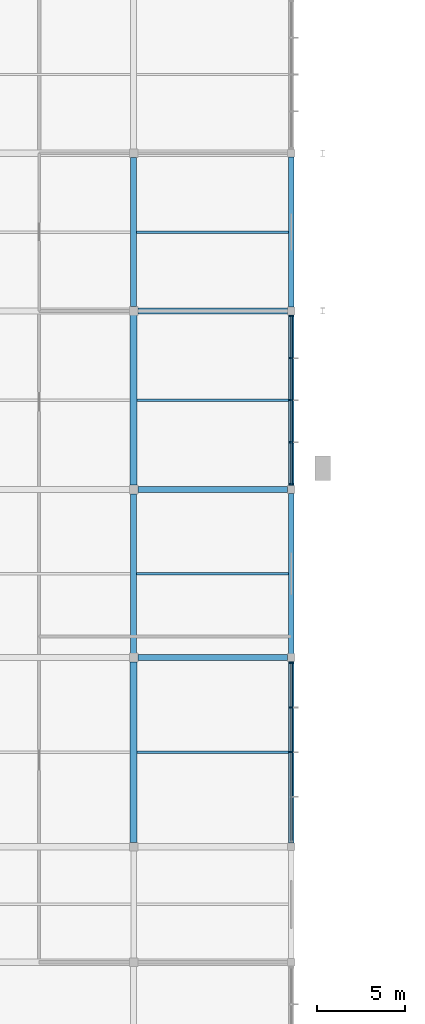
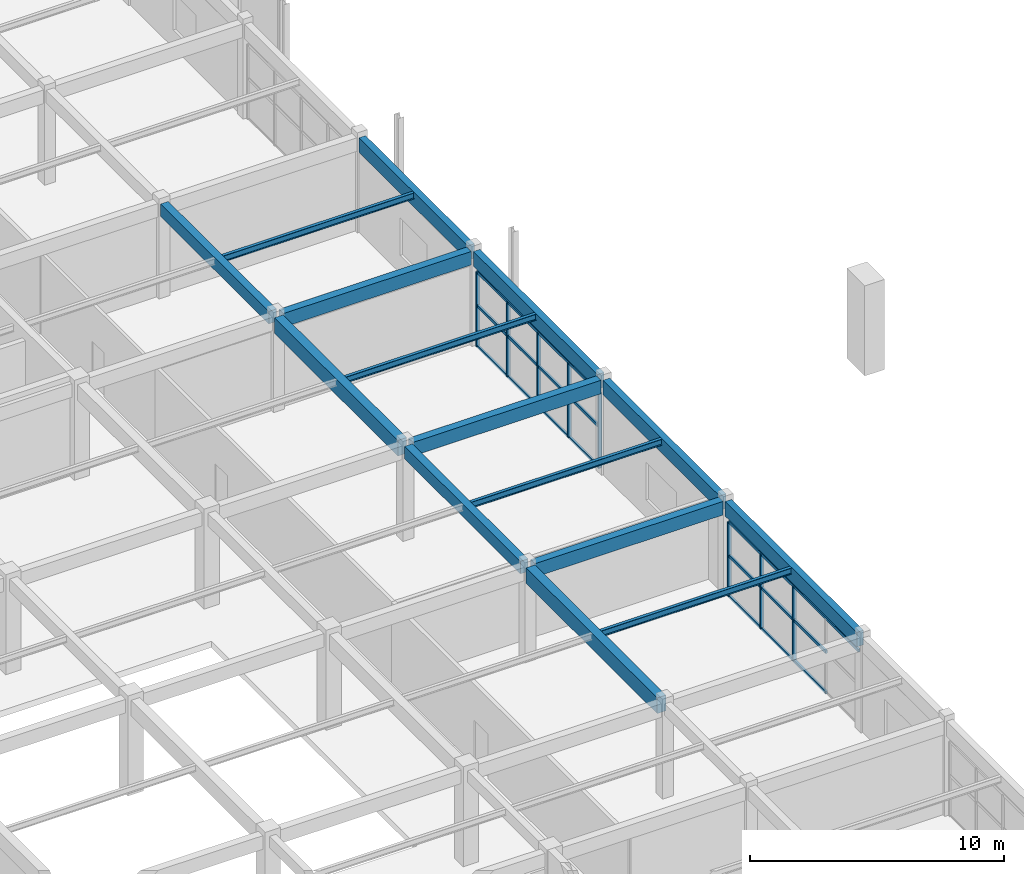
# One storey, part 17 of 74: 24 members, 15 beams, 2 elements without a shape of their own.
"""IFC4 building model written with IfcOpenShell, lengths in metres."""

import ifcopenshell
import ifcopenshell.guid

model = None  # the IFC model being written
_history = None  # IfcOwnerHistory: only IFC2X3 demands one
_inside = {}  # id of a spatial element -> (the spatial element, [elements in it])
_under = {}  # id of a project, library or spatial element -> (it, [spatial elements below it])
_declared = {}  # id of a project -> (the project, [libraries it declares])
_typed = {}  # id of a type object -> (the type object, [elements of that type])
_made_of = {}  # id of a material, layer set ... -> (it, [elements and type objects made of it])


def new_model(schema):
    """Start an empty IFC model of exactly this schema.

    Asked for "IFC4X3", IfcOpenShell would pick the latest addendum, in which some entities
    have other attributes; the version numbers below select the first issue.
    IFC2X3 requires an IfcOwnerHistory on every rooted entity: one is made here for all.
    """
    global model, _history
    if schema == "IFC4X3":
        model = ifcopenshell.file(schema_version=(4, 3, 0, 0))
    else:
        model = ifcopenshell.file(schema=schema)
    _inside.clear()
    _under.clear()
    _declared.clear()
    _typed.clear()
    _made_of.clear()
    _history = None
    if model.schema == "IFC2X3":
        org = make("IfcOrganization", Name="unknown")
        user = make(
            "IfcPersonAndOrganization",
            ThePerson=make("IfcPerson", FamilyName="unknown"),
            TheOrganization=org,
        )
        app = make(
            "IfcApplication",
            ApplicationDeveloper=org,
            Version="unknown",
            ApplicationFullName="unknown",
            ApplicationIdentifier="unknown",
        )
        _history = make(
            "IfcOwnerHistory",
            OwningUser=user,
            OwningApplication=app,
            ChangeAction="ADDED",
            CreationDate=0,
        )
    return model


def make(cls, **values):
    """One entity of the class cls with the attributes given. An attribute that is None is left unset."""
    return model.create_entity(
        cls, **{name: value for name, value in values.items() if value is not None}
    )


def rooted(cls, **values):
    """An entity with a GlobalId (a new one), such as an element, a storey or a relation."""
    return make(cls, GlobalId=ifcopenshell.guid.new(), OwnerHistory=_history, **values)


def si_unit(unit_type, name, prefix=None):
    """IfcSIUnit, for example si_unit("LENGTHUNIT", "METRE", prefix="MILLI")."""
    return make("IfcSIUnit", UnitType=unit_type, Prefix=prefix, Name=name)


def assignment(units):
    """IfcUnitAssignment: the units of a project."""
    return None if units is None else make("IfcUnitAssignment", Units=units)


def point(xyz):
    """IfcCartesianPoint."""
    return None if xyz is None else make("IfcCartesianPoint", Coordinates=xyz)


def direction(xyz):
    """IfcDirection."""
    return None if xyz is None else make("IfcDirection", DirectionRatios=xyz)


def frame(location, z_axis=None, x_axis=None):
    """IfcAxis2Placement3D, a coordinate frame: its origin and axes. An axis left out is left unset."""
    return make(
        "IfcAxis2Placement3D",
        Location=point(location),
        Axis=direction(z_axis),
        RefDirection=direction(x_axis),
    )


def frame_2d(location, x_axis=None):
    """IfcAxis2Placement2D, a coordinate frame in the plane: its origin and x axis."""
    return make(
        "IfcAxis2Placement2D", Location=point(location), RefDirection=direction(x_axis)
    )


def origin():
    """The frame at (0, 0, 0) with its axes left unset."""
    return frame((0.0, 0.0, 0.0))


def origin_2d():
    """The frame at (0, 0) in the plane with its x axis left unset."""
    return frame_2d((0.0, 0.0))


def place(relative_to, where):
    """IfcLocalPlacement: puts the frame where relative to a parent placement (None: the world)."""
    return make(
        "IfcLocalPlacement", PlacementRelTo=relative_to, RelativePlacement=where
    )


def context(
    kind, dimensions, precision=None, world=None, true_north=None, identifier=None
):
    """IfcGeometricRepresentationContext, for example the 3D "Model" context."""
    return make(
        "IfcGeometricRepresentationContext",
        ContextIdentifier=identifier,
        ContextType=kind,
        CoordinateSpaceDimension=dimensions,
        Precision=precision,
        WorldCoordinateSystem=world,
        TrueNorth=true_north,
    )


def subcontext(parent, identifier, kind, view, scale=None):
    """IfcGeometricRepresentationSubContext, for example "Body" below "Model"."""
    return make(
        "IfcGeometricRepresentationSubContext",
        ContextIdentifier=identifier,
        ContextType=kind,
        ParentContext=parent,
        TargetScale=scale,
        TargetView=view,
    )


def project(units=None, contexts=None):
    """IfcProject with its units and contexts."""
    return rooted(
        "IfcProject",
        Name="project",
        RepresentationContexts=contexts,
        UnitsInContext=assignment(units),
    )


def spatial(cls, under=None, at=None, **own):
    """A site, building, storey or space (cls), placed at a placement, below another one or the project."""
    s = rooted(cls, ObjectPlacement=at, **own)
    if under is not None:
        _under.setdefault(under.id(), (under, []))[1].append(s)
    return s


def profile(cls, at=None, kind="AREA", **sizes):
    """A parametric profile (cls). Its sizes go by their IFC names, for example OverallWidth=200.0."""
    return make(cls, ProfileType=kind, Position=at, **sizes)


def rectangle(**sizes):
    """IfcRectangleProfileDef."""
    return profile("IfcRectangleProfileDef", **sizes)


def i_section(**sizes):
    """IfcIShapeProfileDef."""
    return profile("IfcIShapeProfileDef", **sizes)


def extrude(swept, where, along, depth):
    """IfcExtrudedAreaSolid: the profile swept, set in the frame where, extruded along a direction by depth."""
    return make(
        "IfcExtrudedAreaSolid",
        SweptArea=swept,
        Position=where,
        ExtrudedDirection=direction(along),
        Depth=depth,
    )


def shape(context_of_items, identifier, shape_type, items):
    """IfcShapeRepresentation: the items that make up one representation, for example the "Body"."""
    return make(
        "IfcShapeRepresentation",
        ContextOfItems=context_of_items,
        RepresentationIdentifier=identifier,
        RepresentationType=shape_type,
        Items=items,
    )


def material(Name=None, Category=None):
    """IfcMaterial."""
    return make("IfcMaterial", Name=Name, Category=Category)


def material_profile(
    of_material, cross_section, Name=None, Category=None, Priority=None
):
    """IfcMaterialProfile: a cross section and its material."""
    return make(
        "IfcMaterialProfile",
        Name=Name,
        Material=of_material,
        Profile=cross_section,
        Priority=Priority,
        Category=Category,
    )


def profile_set(profiles, Name=None, composite=None):
    """IfcMaterialProfileSet."""
    return make(
        "IfcMaterialProfileSet",
        Name=Name,
        MaterialProfiles=profiles,
        CompositeProfile=composite,
    )


def made_of(thing, what):
    """Note that an element or type object is made of a material, layer set ...; save() writes the relation."""
    if what is not None:
        _made_of.setdefault(what.id(), (what, []))[1].append(thing)
    return thing


def type_object(cls, material=None, **own):
    """A type object (cls), such as IfcWallType, which elements share."""
    return made_of(rooted(cls, **own), material)


def element(
    cls,
    number,
    at=None,
    inside=None,
    cuts=None,
    type_object=None,
    material=None,
    context=None,
    identifier="Body",
    shape_type=None,
    held_by="IfcProductDefinitionShape",
    body=None,
    shapes=None,
    **own,
):
    """One element of the class cls, such as IfcWall. Its Tag is "e" and its number.

    at: its placement. inside: the storey or other place that contains it. cuts: it is an
    opening in that element (IfcRelVoidsElement). A single representation is given by context,
    identifier, shape_type and body (its items); several are given by shapes. held_by: the class
    of the entity that holds the representations. save() writes the other relations.
    """
    e = rooted(cls, Tag="e%d" % number, ObjectPlacement=at, **own)
    if body is not None:
        shapes = [shape(context, identifier, shape_type, body)]
    if shapes is not None:
        e.Representation = make(held_by, Representations=shapes)
    if inside is not None:
        _inside.setdefault(inside.id(), (inside, []))[1].append(e)
    if cuts is not None:
        rooted(
            "IfcRelVoidsElement", RelatingBuildingElement=cuts, RelatedOpeningElement=e
        )
    if type_object is not None:
        _typed.setdefault(type_object.id(), (type_object, []))[1].append(e)
    return made_of(e, material)


def aggregate(whole, parts):
    """IfcRelAggregates: a whole, such as a stair, and the parts it consists of."""
    return rooted("IfcRelAggregates", RelatingObject=whole, RelatedObjects=parts)


def save(model, path):
    """Write the relations noted so far, then the file.

    IfcRelAggregates (storeys below a building ...), IfcRelContainedInSpatialStructure (elements
    in a storey), IfcRelDefinesByType, IfcRelAssociatesMaterial and IfcRelDeclares: one each for
    every whole, place, type object, material and project.
    """
    for whole, parts in _under.values():
        aggregate(whole, parts)
    for where, things in _inside.values():
        rooted(
            "IfcRelContainedInSpatialStructure",
            RelatedElements=things,
            RelatingStructure=where,
        )
    for kind, things in _typed.values():
        rooted("IfcRelDefinesByType", RelatedObjects=things, RelatingType=kind)
    for what, things in _made_of.values():
        rooted("IfcRelAssociatesMaterial", RelatedObjects=things, RelatingMaterial=what)
    for by, libraries in _declared.values():
        rooted("IfcRelDeclares", RelatingContext=by, RelatedDefinitions=libraries)
    model.write(path)


model = new_model("IFC4")

# Units and contexts
model_context = context("Model", 3, precision=1e-05, world=origin(), true_north=direction((0.0, 1.0)))
body_context = subcontext(model_context, "Body", "Model", "MODEL_VIEW")
ifc_project = project(units=[si_unit("LENGTHUNIT", "METRE"), si_unit("AREAUNIT", "SQUARE_METRE"), si_unit("VOLUMEUNIT", "CUBIC_METRE"), si_unit("PLANEANGLEUNIT", "RADIAN"), si_unit("MASSUNIT", "GRAM", prefix="KILO")], contexts=[model_context])

# Site, building, storey
site_placement = place(None, origin())
site = spatial("IfcSite", under=ifc_project, at=site_placement, CompositionType="ELEMENT")
building_placement = place(site_placement, origin())
building = spatial("IfcBuilding", under=site, at=building_placement, Name="Suirenkawa Promenade Aquatics Centre", CompositionType="ELEMENT")
storey_placement = place(building_placement, frame((0.0, 0.0, 4.800048828125)))
storey = spatial("IfcBuildingStorey", under=building, at=storey_placement, Name="L01", CompositionType="ELEMENT", Elevation=4.800048828125)

# Beams
ifc_material_1 = material(Name="Steel IS 2062 E350 (Grade 350)", Category="steel")
ifc_material_profile_1 = material_profile(ifc_material_1, i_section(OverallWidth=0.139892578125, OverallDepth=0.300048828125, WebThickness=0.008056640625, FlangeThickness=0.012939453125, at=origin_2d()), Name="ISMB 300", Category="steel")
ifc_profile_set_1 = profile_set([ifc_material_profile_1], Name="Steel IS 2062 E350 (Grade 350)")
beam_type_1 = type_object("IfcBeamType", Name="BT-JOIST-ISMB300", PredefinedType="JOIST", material=ifc_profile_set_1)
beam_1_placement = place(storey_placement, frame((36.194091796875, 34.199951171875, 4.387939453125), z_axis=(1.0, 0.0, 0.0), x_axis=(0.0, 1.0, 0.0)))
element("IfcBeam", 1, at=beam_1_placement, inside=storey, type_object=beam_type_1, Name="Secondary floor joist JS-02 BM-0569", PredefinedType="JOIST", context=body_context, shape_type="SweptSolid", body=[
    extrude(i_section(OverallWidth=0.139892578125, OverallDepth=0.300048828125, WebThickness=0.008056640625, FlangeThickness=0.012939453125, at=origin_2d()), origin(), (0.0, 0.0, 1.0), 8.661865234375),
])
beam_2_placement = place(storey_placement, frame((36.1689453125, 44.39990234375, 4.387939453125), z_axis=(1.0, 0.0, 0.0), x_axis=(0.0, 1.0, 0.0)))
element("IfcBeam", 2, at=beam_2_placement, inside=storey, type_object=beam_type_1, Name="Secondary floor joist JS-02 BM-0570", PredefinedType="JOIST", context=body_context, shape_type="SweptSolid", body=[
    extrude(i_section(OverallWidth=0.139892578125, OverallDepth=0.300048828125, WebThickness=0.008056640625, FlangeThickness=0.012939453125, at=origin_2d()), origin(), (0.0, 0.0, 1.0), 8.68701171875),
])
beam_3_placement = place(storey_placement, frame((36.194091796875, 54.300048828125, 4.387939453125), z_axis=(1.0, 0.0, 0.0), x_axis=(0.0, 1.0, 0.0)))
element("IfcBeam", 3, at=beam_3_placement, inside=storey, type_object=beam_type_1, Name="Secondary floor joist JS-02 BM-0571", PredefinedType="JOIST", context=body_context, shape_type="SweptSolid", body=[
    extrude(i_section(OverallWidth=0.139892578125, OverallDepth=0.300048828125, WebThickness=0.008056640625, FlangeThickness=0.012939453125, at=origin_2d()), origin(), (0.0, 0.0, 1.0), 8.661865234375),
])
beam_4_placement = place(storey_placement, frame((36.1689453125, 63.89990234375, 4.387939453125), z_axis=(1.0, 0.0, 0.0), x_axis=(0.0, 1.0, 0.0)))
element("IfcBeam", 4, at=beam_4_placement, inside=storey, type_object=beam_type_1, Name="Secondary floor joist JS-02 BM-0572", PredefinedType="JOIST", context=body_context, shape_type="SweptSolid", body=[
    extrude(i_section(OverallWidth=0.139892578125, OverallDepth=0.300048828125, WebThickness=0.008056640625, FlangeThickness=0.012939453125, at=origin_2d()), origin(), (0.0, 0.0, 1.0), 8.68701171875),
])
ifc_material_2 = material(Name="Concrete M35", Category="concrete")
ifc_material_profile_2 = material_profile(ifc_material_2, rectangle(XDim=0.35009765625, YDim=0.60009765625, at=origin_2d()), Name="RC BM 350x600", Category="concrete")
ifc_profile_set_2 = profile_set([ifc_material_profile_2], Name="Concrete M35")
beam_type_2 = type_object("IfcBeamType", Name="BT-RC-350x600", PredefinedType="BEAM", material=ifc_profile_set_2)
beam_5_placement = place(storey_placement, frame((36.0, 39.843994140625, 4.239990234375), z_axis=(0.0, 1.0, 0.0), x_axis=(-1.0, 0.0, 0.0)))
element("IfcBeam", 5, at=beam_5_placement, inside=storey, type_object=beam_type_2, Name="Floor beam BM-02 BM-0502", PredefinedType="BEAM", context=body_context, shape_type="SweptSolid", body=[
    extrude(rectangle(XDim=0.35009765625, YDim=0.60009765625, at=origin_2d()), origin(), (0.0, 0.0, 1.0), 9.112060546875),
])
beam_6_placement = place(storey_placement, frame((36.0, 59.64404296875, 4.239990234375), z_axis=(0.0, 1.0, 0.0), x_axis=(-1.0, 0.0, 0.0)))
element("IfcBeam", 6, at=beam_6_placement, inside=storey, type_object=beam_type_2, Name="Floor beam BM-02 BM-0504", PredefinedType="BEAM", context=body_context, shape_type="SweptSolid", body=[
    extrude(rectangle(XDim=0.35009765625, YDim=0.60009765625, at=origin_2d()), origin(), (0.0, 0.0, 1.0), 8.511962890625),
])
ifc_material_profile_3 = material_profile(ifc_material_2, rectangle(XDim=0.35009765625, YDim=0.64990234375, at=origin_2d()), Name="RC BM 350x650", Category="concrete")
ifc_profile_set_3 = profile_set([ifc_material_profile_3], Name="Concrete M35")
beam_type_3 = type_object("IfcBeamType", Name="BT-RC-350x650", PredefinedType="BEAM", material=ifc_profile_set_3)
for number, where, z_axis, x_axis, name in (
    (7, (36.243896484375, 39.60009765625, 4.21484375), (1.0, 0.0, 0.0), (0.0, 1.0, 0.0), "Floor beam BM-03 BM-0409"),
    (8, (36.243896484375, 49.199951171875, 4.21484375), (1.0, 0.0, 0.0), (0.0, 1.0, 0.0), "Floor beam BM-03 BM-0414"),
    (9, (36.243896484375, 59.39990234375, 4.21484375), (1.0, 0.0, 0.0), (0.0, 1.0, 0.0), "Floor beam BM-03 BM-0419"),
):
    element("IfcBeam", number, at=place(storey_placement, frame(where, z_axis=z_axis, x_axis=x_axis)), inside=storey, type_object=beam_type_3, Name=name, PredefinedType="BEAM", context=body_context, shape_type="SweptSolid", body=[
        extrude(rectangle(XDim=0.35009765625, YDim=0.64990234375, at=origin_2d()), origin(), (0.0, 0.0, 1.0), 8.537109375),
    ])
ifc_material_3 = material(Name="Concrete M40", Category="concrete")
ifc_material_profile_4 = material_profile(ifc_material_3, rectangle(XDim=0.39990234375, YDim=0.75, at=origin_2d()), Name="RC BM 400x750", Category="concrete")
ifc_profile_set_4 = profile_set([ifc_material_profile_4], Name="Concrete M40")
beam_type_4 = type_object("IfcBeamType", Name="BT-RC-400x750", PredefinedType="BEAM", material=ifc_profile_set_4)
beam_7_placement = place(storey_placement, frame((36.0, 29.0439453125, 4.1650390625), z_axis=(0.0, 1.0, 0.0), x_axis=(-1.0, 0.0, 0.0)))
element("IfcBeam", 10, at=beam_7_placement, inside=storey, type_object=beam_type_4, Name="Floor beam BM-05 BM-0501", PredefinedType="BEAM", context=body_context, shape_type="SweptSolid", body=[
    extrude(rectangle(XDim=0.39990234375, YDim=0.75, at=origin_2d()), origin(), (0.0, 0.0, 1.0), 10.31201171875),
])
beam_8_placement = place(storey_placement, frame((36.0, 49.444091796875, 4.1650390625), z_axis=(0.0, 1.0, 0.0), x_axis=(-1.0, 0.0, 0.0)))
element("IfcBeam", 11, at=beam_8_placement, inside=storey, type_object=beam_type_4, Name="Floor beam BM-05 BM-0503", PredefinedType="BEAM", context=body_context, shape_type="SweptSolid", body=[
    extrude(rectangle(XDim=0.39990234375, YDim=0.75, at=origin_2d()), origin(), (0.0, 0.0, 1.0), 9.7119140625),
])
ifc_material_profile_5 = material_profile(ifc_material_3, rectangle(XDim=0.300048828125, YDim=0.699951171875, at=origin_2d()), Name="RC SPANDREL 300x700", Category="concrete")
ifc_profile_set_5 = profile_set([ifc_material_profile_5], Name="Concrete M40")
beam_type_5 = type_object("IfcBeamType", Name="BT-SPANDREL-300x700", PredefinedType="SPANDREL", material=ifc_profile_set_5)
beam_9_placement = place(storey_placement, frame((45.0, 29.01904296875, 4.18994140625), z_axis=(0.0, 1.0, 0.0), x_axis=(-1.0, 0.0, 0.0)))
element("IfcBeam", 12, at=beam_9_placement, inside=storey, type_object=beam_type_5, Name="Floor beam SP-01 BM-0513", PredefinedType="SPANDREL", context=body_context, shape_type="SweptSolid", body=[
    extrude(rectangle(XDim=0.300048828125, YDim=0.699951171875, at=origin_2d()), origin(), (0.0, 0.0, 1.0), 10.362060546875),
])
beam_10_placement = place(storey_placement, frame((45.0, 39.819091796875, 4.18994140625), z_axis=(0.0, 1.0, 0.0), x_axis=(-1.0, 0.0, 0.0)))
element("IfcBeam", 13, at=beam_10_placement, inside=storey, type_object=beam_type_5, Name="Floor beam SP-01 BM-0514", PredefinedType="SPANDREL", context=body_context, shape_type="SweptSolid", body=[
    extrude(rectangle(XDim=0.300048828125, YDim=0.699951171875, at=origin_2d()), origin(), (0.0, 0.0, 1.0), 9.161865234375),
])
beam_11_placement = place(storey_placement, frame((45.0, 49.4189453125, 4.18994140625), z_axis=(0.0, 1.0, 0.0), x_axis=(-1.0, 0.0, 0.0)))
element("IfcBeam", 14, at=beam_11_placement, inside=storey, type_object=beam_type_5, Name="Floor beam SP-01 BM-0515", PredefinedType="SPANDREL", context=body_context, shape_type="SweptSolid", body=[
    extrude(rectangle(XDim=0.300048828125, YDim=0.699951171875, at=origin_2d()), origin(), (0.0, 0.0, 1.0), 9.761962890625),
])
beam_12_placement = place(storey_placement, frame((45.0, 59.618896484375, 4.18994140625), z_axis=(0.0, 1.0, 0.0), x_axis=(-1.0, 0.0, 0.0)))
element("IfcBeam", 15, at=beam_12_placement, inside=storey, type_object=beam_type_5, Name="Floor beam SP-01 BM-0516", PredefinedType="SPANDREL", context=body_context, shape_type="SweptSolid", body=[
    extrude(rectangle(XDim=0.300048828125, YDim=0.699951171875, at=origin_2d()), origin(), (0.0, 0.0, 1.0), 8.56201171875),
])

# Curtain wall, members
ifc_material_4 = material(Name="Anodised aluminium 6063-T6", Category="aluminium")
curtain_wall_type_1 = type_object("IfcCurtainWallType", Name="CWAT-V5EL01-53", PredefinedType="NOTDEFINED", material=ifc_material_4)
curtain_wall_1_placement = place(storey_placement, origin())
curtain_wall_1 = element("IfcCurtainWall", 16, at=curtain_wall_1_placement, inside=storey, type_object=curtain_wall_type_1, Name="Curtain wall CWA-53 CW-100", PredefinedType="NOTDEFINED")
ifc_material_profile_6 = material_profile(ifc_material_4, rectangle(XDim=0.090087890625, YDim=0.159912109375, at=origin_2d()), Name="ALU MULL 90x160", Category="aluminium")
ifc_profile_set_6 = profile_set([ifc_material_profile_6], Name="Anodised aluminium 6063-T6")
member_type_1 = type_object("IfcMemberType", Name="CWM-160x90", PredefinedType="MULLION", material=ifc_profile_set_6)
member_1_placement = place(storey_placement, frame((45.0, 39.301025390625, 0.0), z_axis=(0.0, 0.0, 1.0), x_axis=(0.0, -1.0, 0.0)))
member_1 = element("IfcMember", 17, at=member_1_placement, type_object=member_type_1, Name="Mullion ML-03 CWM-01989", PredefinedType="MULLION", context=body_context, shape_type="SweptSolid", body=[
    extrude(rectangle(XDim=0.090087890625, YDim=0.159912109375, at=origin_2d()), origin(), (0.0, 0.0, 1.0), 3.570068359375),
])
member_2_placement = place(storey_placement, frame((45.0, 36.75048828125, 0.0), z_axis=(0.0, 0.0, 1.0), x_axis=(0.0, -1.0, 0.0)))
member_2 = element("IfcMember", 18, at=member_2_placement, type_object=member_type_1, Name="Mullion ML-03 CWM-01990", PredefinedType="MULLION", context=body_context, shape_type="SweptSolid", body=[
    extrude(rectangle(XDim=0.090087890625, YDim=0.159912109375, at=origin_2d()), origin(), (0.0, 0.0, 1.0), 3.570068359375),
])
member_3_placement = place(storey_placement, frame((45.0, 34.199951171875, 0.0), z_axis=(0.0, 0.0, 1.0), x_axis=(0.0, -1.0, 0.0)))
member_3 = element("IfcMember", 19, at=member_3_placement, type_object=member_type_1, Name="Mullion ML-03 CWM-01991", PredefinedType="MULLION", context=body_context, shape_type="SweptSolid", body=[
    extrude(rectangle(XDim=0.090087890625, YDim=0.159912109375, at=origin_2d()), origin(), (0.0, 0.0, 1.0), 3.570068359375),
])

curtain_wall_type_2 = type_object("IfcCurtainWallType", Name="CWAT-V5EL01-56", PredefinedType="NOTDEFINED", material=ifc_material_4)
curtain_wall_2_placement = place(storey_placement, origin())
curtain_wall_2 = element("IfcCurtainWall", 20, at=curtain_wall_2_placement, inside=storey, type_object=curtain_wall_type_2, Name="Curtain wall CWA-56 CW-103", PredefinedType="NOTDEFINED")
member_4_placement = place(storey_placement, frame((45.0, 59.10107421875, 0.0), z_axis=(0.0, 0.0, 1.0), x_axis=(0.0, -1.0, 0.0)))
member_4 = element("IfcMember", 21, at=member_4_placement, type_object=member_type_1, Name="Mullion ML-03 CWM-02055", PredefinedType="MULLION", context=body_context, shape_type="SweptSolid", body=[
    extrude(rectangle(XDim=0.090087890625, YDim=0.159912109375, at=origin_2d()), origin(), (0.0, 0.0, 1.0), 3.570068359375),
])
member_5_placement = place(storey_placement, frame((45.0, 56.700439453125, 0.0), z_axis=(0.0, 0.0, 1.0), x_axis=(0.0, -1.0, 0.0)))
member_5 = element("IfcMember", 22, at=member_5_placement, type_object=member_type_1, Name="Mullion ML-03 CWM-02056", PredefinedType="MULLION", context=body_context, shape_type="SweptSolid", body=[
    extrude(rectangle(XDim=0.090087890625, YDim=0.159912109375, at=origin_2d()), origin(), (0.0, 0.0, 1.0), 3.570068359375),
])
member_6_placement = place(storey_placement, frame((45.0, 54.300048828125, 0.0), z_axis=(0.0, 0.0, 1.0), x_axis=(0.0, -1.0, 0.0)))
member_6 = element("IfcMember", 23, at=member_6_placement, type_object=member_type_1, Name="Mullion ML-03 CWM-02057", PredefinedType="MULLION", context=body_context, shape_type="SweptSolid", body=[
    extrude(rectangle(XDim=0.090087890625, YDim=0.159912109375, at=origin_2d()), origin(), (0.0, 0.0, 1.0), 3.570068359375),
])
member_7_placement = place(storey_placement, frame((45.0, 51.8994140625, 0.0), z_axis=(0.0, 0.0, 1.0), x_axis=(0.0, -1.0, 0.0)))
member_7 = element("IfcMember", 24, at=member_7_placement, type_object=member_type_1, Name="Mullion ML-03 CWM-02058", PredefinedType="MULLION", context=body_context, shape_type="SweptSolid", body=[
    extrude(rectangle(XDim=0.090087890625, YDim=0.159912109375, at=origin_2d()), origin(), (0.0, 0.0, 1.0), 3.570068359375),
])
member_8_placement = place(storey_placement, frame((45.0, 49.4990234375, 0.0), z_axis=(0.0, 0.0, 1.0), x_axis=(0.0, -1.0, 0.0)))
member_8 = element("IfcMember", 25, at=member_8_placement, type_object=member_type_1, Name="Mullion ML-03 CWM-02059", PredefinedType="MULLION", context=body_context, shape_type="SweptSolid", body=[
    extrude(rectangle(XDim=0.090087890625, YDim=0.159912109375, at=origin_2d()), origin(), (0.0, 0.0, 1.0), 3.570068359375),
])

# Member
ifc_material_profile_7 = material_profile(ifc_material_4, rectangle(XDim=0.090087890625, YDim=0.1298828125, at=origin_2d()), Name="ALU TRAN 90x130", Category="aluminium")
ifc_profile_set_7 = profile_set([ifc_material_profile_7], Name="Anodised aluminium 6063-T6")
member_type_2 = type_object("IfcMemberType", Name="CWT-130x90", PredefinedType="USERDEFINED", material=ifc_profile_set_7)
member_9_placement = place(storey_placement, frame((45.0, 39.301025390625, 0.0), z_axis=(0.0, -1.0, 0.0), x_axis=(1.0, 0.0, 0.0)))
member_9 = element("IfcMember", 26, at=member_9_placement, type_object=member_type_2, Name="Transom TR-03 CWT-01994", ObjectType="TRANSOM", PredefinedType="USERDEFINED", context=body_context, shape_type="SweptSolid", body=[
    extrude(rectangle(XDim=0.090087890625, YDim=0.1298828125, at=origin_2d()), origin(), (0.0, 0.0, 1.0), 2.550537109375),
])

member_10_placement = place(storey_placement, frame((45.0, 36.75048828125, 0.0), z_axis=(0.0, -1.0, 0.0), x_axis=(1.0, 0.0, 0.0)))
member_10 = element("IfcMember", 27, at=member_10_placement, type_object=member_type_2, Name="Transom TR-03 CWT-01995", ObjectType="TRANSOM", PredefinedType="USERDEFINED", context=body_context, shape_type="SweptSolid", body=[
    extrude(rectangle(XDim=0.090087890625, YDim=0.1298828125, at=origin_2d()), origin(), (0.0, 0.0, 1.0), 2.550537109375),
])

member_11_placement = place(storey_placement, frame((45.0, 34.199951171875, 0.0), z_axis=(0.0, -1.0, 0.0), x_axis=(1.0, 0.0, 0.0)))
member_11 = element("IfcMember", 28, at=member_11_placement, type_object=member_type_2, Name="Transom TR-03 CWT-01996", ObjectType="TRANSOM", PredefinedType="USERDEFINED", context=body_context, shape_type="SweptSolid", body=[
    extrude(rectangle(XDim=0.090087890625, YDim=0.1298828125, at=origin_2d()), origin(), (0.0, 0.0, 1.0), 2.550537109375),
])

member_12_placement = place(storey_placement, frame((45.0, 39.301025390625, 1.949951171875), z_axis=(0.0, -1.0, 0.0), x_axis=(1.0, 0.0, 0.0)))
member_12 = element("IfcMember", 29, at=member_12_placement, type_object=member_type_2, Name="Transom TR-03 CWT-01998", ObjectType="TRANSOM", PredefinedType="USERDEFINED", context=body_context, shape_type="SweptSolid", body=[
    extrude(rectangle(XDim=0.090087890625, YDim=0.1298828125, at=origin_2d()), origin(), (0.0, 0.0, 1.0), 2.550537109375),
])

member_13_placement = place(storey_placement, frame((45.0, 36.75048828125, 1.949951171875), z_axis=(0.0, -1.0, 0.0), x_axis=(1.0, 0.0, 0.0)))
member_13 = element("IfcMember", 30, at=member_13_placement, type_object=member_type_2, Name="Transom TR-03 CWT-01999", ObjectType="TRANSOM", PredefinedType="USERDEFINED", context=body_context, shape_type="SweptSolid", body=[
    extrude(rectangle(XDim=0.090087890625, YDim=0.1298828125, at=origin_2d()), origin(), (0.0, 0.0, 1.0), 2.550537109375),
])

member_14_placement = place(storey_placement, frame((45.0, 34.199951171875, 1.949951171875), z_axis=(0.0, -1.0, 0.0), x_axis=(1.0, 0.0, 0.0)))
member_14 = element("IfcMember", 31, at=member_14_placement, type_object=member_type_2, Name="Transom TR-03 CWT-02000", ObjectType="TRANSOM", PredefinedType="USERDEFINED", context=body_context, shape_type="SweptSolid", body=[
    extrude(rectangle(XDim=0.090087890625, YDim=0.1298828125, at=origin_2d()), origin(), (0.0, 0.0, 1.0), 2.550537109375),
])

member_15_placement = place(storey_placement, frame((45.0, 39.301025390625, 3.570068359375), z_axis=(0.0, -1.0, 0.0), x_axis=(1.0, 0.0, 0.0)))
member_15 = element("IfcMember", 32, at=member_15_placement, type_object=member_type_2, Name="Roofline transom TR-03 CWT-02002", ObjectType="TRANSOM", PredefinedType="USERDEFINED", context=body_context, shape_type="SweptSolid", body=[
    extrude(rectangle(XDim=0.090087890625, YDim=0.1298828125, at=origin_2d()), origin(), (0.0, 0.0, 1.0), 10.201904296875),
])

aggregate(curtain_wall_1, [member_1, member_2, member_3, member_9, member_10, member_11, member_12, member_13, member_14, member_15])

member_16_placement = place(storey_placement, frame((45.0, 59.10107421875, 0.0), z_axis=(0.0, -1.0, 0.0), x_axis=(1.0, 0.0, 0.0)))
member_16 = element("IfcMember", 33, at=member_16_placement, type_object=member_type_2, Name="Transom TR-03 CWT-02060", ObjectType="TRANSOM", PredefinedType="USERDEFINED", context=body_context, shape_type="SweptSolid", body=[
    extrude(rectangle(XDim=0.090087890625, YDim=0.1298828125, at=origin_2d()), origin(), (0.0, 0.0, 1.0), 2.400634765625),
])

member_17_placement = place(storey_placement, frame((45.0, 56.700439453125, 0.0), z_axis=(0.0, -1.0, 0.0), x_axis=(1.0, 0.0, 0.0)))
member_17 = element("IfcMember", 34, at=member_17_placement, type_object=member_type_2, Name="Transom TR-03 CWT-02061", ObjectType="TRANSOM", PredefinedType="USERDEFINED", context=body_context, shape_type="SweptSolid", body=[
    extrude(rectangle(XDim=0.090087890625, YDim=0.1298828125, at=origin_2d()), origin(), (0.0, 0.0, 1.0), 2.400390625),
])

member_18_placement = place(storey_placement, frame((45.0, 54.300048828125, 0.0), z_axis=(0.0, -1.0, 0.0), x_axis=(1.0, 0.0, 0.0)))
member_18 = element("IfcMember", 35, at=member_18_placement, type_object=member_type_2, Name="Transom TR-03 CWT-02062", ObjectType="TRANSOM", PredefinedType="USERDEFINED", context=body_context, shape_type="SweptSolid", body=[
    extrude(rectangle(XDim=0.090087890625, YDim=0.1298828125, at=origin_2d()), origin(), (0.0, 0.0, 1.0), 2.400634765625),
])

member_19_placement = place(storey_placement, frame((45.0, 51.8994140625, 0.0), z_axis=(0.0, -1.0, 0.0), x_axis=(1.0, 0.0, 0.0)))
member_19 = element("IfcMember", 36, at=member_19_placement, type_object=member_type_2, Name="Transom TR-03 CWT-02063", ObjectType="TRANSOM", PredefinedType="USERDEFINED", context=body_context, shape_type="SweptSolid", body=[
    extrude(rectangle(XDim=0.090087890625, YDim=0.1298828125, at=origin_2d()), origin(), (0.0, 0.0, 1.0), 2.400390625),
])

member_20_placement = place(storey_placement, frame((45.0, 59.10107421875, 1.949951171875), z_axis=(0.0, -1.0, 0.0), x_axis=(1.0, 0.0, 0.0)))
member_20 = element("IfcMember", 37, at=member_20_placement, type_object=member_type_2, Name="Transom TR-03 CWT-02064", ObjectType="TRANSOM", PredefinedType="USERDEFINED", context=body_context, shape_type="SweptSolid", body=[
    extrude(rectangle(XDim=0.090087890625, YDim=0.1298828125, at=origin_2d()), origin(), (0.0, 0.0, 1.0), 2.400634765625),
])

member_21_placement = place(storey_placement, frame((45.0, 56.700439453125, 1.949951171875), z_axis=(0.0, -1.0, 0.0), x_axis=(1.0, 0.0, 0.0)))
member_21 = element("IfcMember", 38, at=member_21_placement, type_object=member_type_2, Name="Transom TR-03 CWT-02065", ObjectType="TRANSOM", PredefinedType="USERDEFINED", context=body_context, shape_type="SweptSolid", body=[
    extrude(rectangle(XDim=0.090087890625, YDim=0.1298828125, at=origin_2d()), origin(), (0.0, 0.0, 1.0), 2.400390625),
])

member_22_placement = place(storey_placement, frame((45.0, 54.300048828125, 1.949951171875), z_axis=(0.0, -1.0, 0.0), x_axis=(1.0, 0.0, 0.0)))
member_22 = element("IfcMember", 39, at=member_22_placement, type_object=member_type_2, Name="Transom TR-03 CWT-02066", ObjectType="TRANSOM", PredefinedType="USERDEFINED", context=body_context, shape_type="SweptSolid", body=[
    extrude(rectangle(XDim=0.090087890625, YDim=0.1298828125, at=origin_2d()), origin(), (0.0, 0.0, 1.0), 2.400634765625),
])

member_23_placement = place(storey_placement, frame((45.0, 51.8994140625, 1.949951171875), z_axis=(0.0, -1.0, 0.0), x_axis=(1.0, 0.0, 0.0)))
member_23 = element("IfcMember", 40, at=member_23_placement, type_object=member_type_2, Name="Transom TR-03 CWT-02067", ObjectType="TRANSOM", PredefinedType="USERDEFINED", context=body_context, shape_type="SweptSolid", body=[
    extrude(rectangle(XDim=0.090087890625, YDim=0.1298828125, at=origin_2d()), origin(), (0.0, 0.0, 1.0), 2.400390625),
])

member_24_placement = place(storey_placement, frame((45.0, 59.10107421875, 3.570068359375), z_axis=(0.0, -1.0, 0.0), x_axis=(1.0, 0.0, 0.0)))
member_24 = element("IfcMember", 41, at=member_24_placement, type_object=member_type_2, Name="Roofline transom TR-03 CWT-02068", ObjectType="TRANSOM", PredefinedType="USERDEFINED", context=body_context, shape_type="SweptSolid", body=[
    extrude(rectangle(XDim=0.090087890625, YDim=0.1298828125, at=origin_2d()), origin(), (0.0, 0.0, 1.0), 9.60205078125),
])

aggregate(curtain_wall_2, [member_4, member_5, member_6, member_7, member_8, member_16, member_17, member_18, member_19, member_20, member_21, member_22, member_23, member_24])

save(model, "model.ifc")
